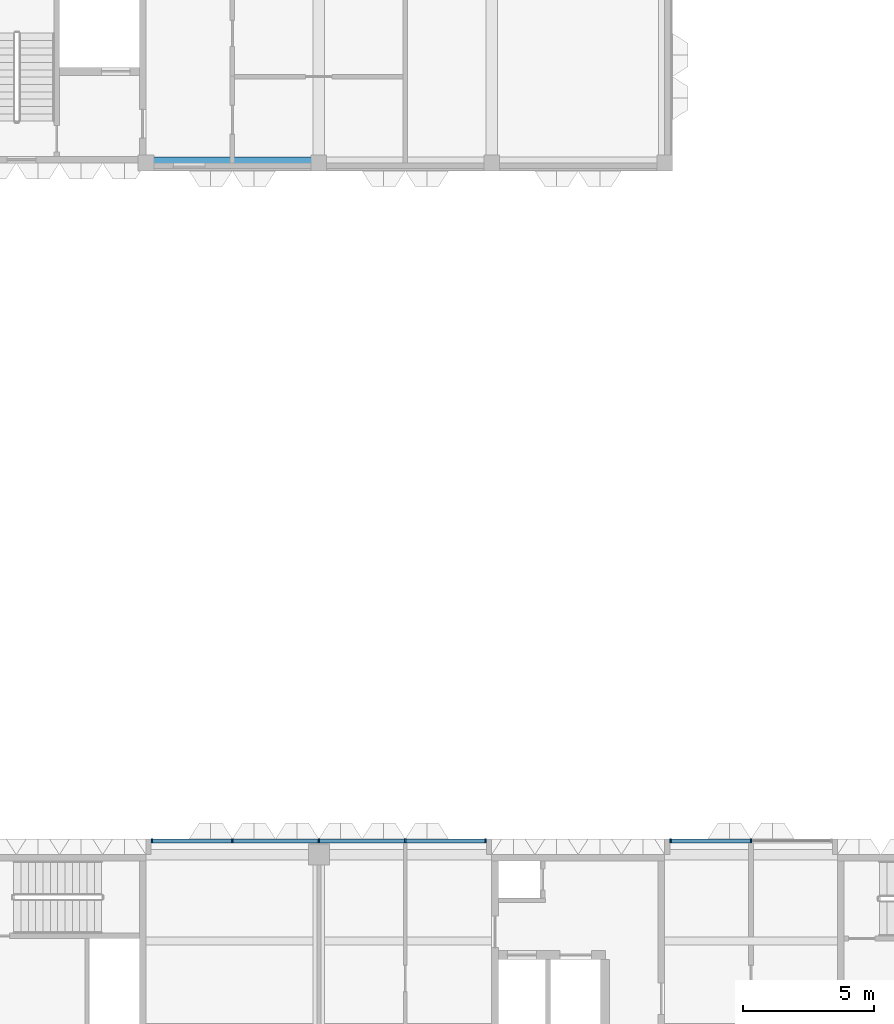
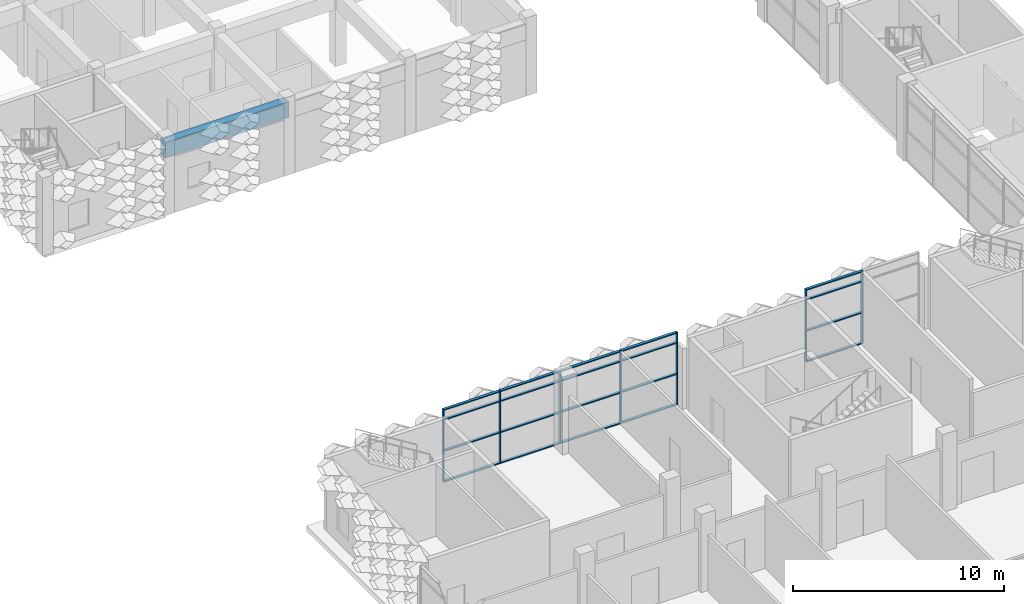
# One storey, part 9 of 87: 27 members, 1 beam, 2 elements without a shape of their own.
"""IFC4 building model written with IfcOpenShell, lengths in metres."""

import ifcopenshell
import ifcopenshell.guid

model = None  # the IFC model being written
_history = None  # IfcOwnerHistory: only IFC2X3 demands one
_inside = {}  # id of a spatial element -> (the spatial element, [elements in it])
_under = {}  # id of a project, library or spatial element -> (it, [spatial elements below it])
_declared = {}  # id of a project -> (the project, [libraries it declares])
_typed = {}  # id of a type object -> (the type object, [elements of that type])
_made_of = {}  # id of a material, layer set ... -> (it, [elements and type objects made of it])


def new_model(schema):
    """Start an empty IFC model of exactly this schema.

    Asked for "IFC4X3", IfcOpenShell would pick the latest addendum, in which some entities
    have other attributes; the version numbers below select the first issue.
    IFC2X3 requires an IfcOwnerHistory on every rooted entity: one is made here for all.
    """
    global model, _history
    if schema == "IFC4X3":
        model = ifcopenshell.file(schema_version=(4, 3, 0, 0))
    else:
        model = ifcopenshell.file(schema=schema)
    _inside.clear()
    _under.clear()
    _declared.clear()
    _typed.clear()
    _made_of.clear()
    _history = None
    if model.schema == "IFC2X3":
        org = make("IfcOrganization", Name="unknown")
        user = make(
            "IfcPersonAndOrganization",
            ThePerson=make("IfcPerson", FamilyName="unknown"),
            TheOrganization=org,
        )
        app = make(
            "IfcApplication",
            ApplicationDeveloper=org,
            Version="unknown",
            ApplicationFullName="unknown",
            ApplicationIdentifier="unknown",
        )
        _history = make(
            "IfcOwnerHistory",
            OwningUser=user,
            OwningApplication=app,
            ChangeAction="ADDED",
            CreationDate=0,
        )
    return model


def make(cls, **values):
    """One entity of the class cls with the attributes given. An attribute that is None is left unset."""
    return model.create_entity(
        cls, **{name: value for name, value in values.items() if value is not None}
    )


def rooted(cls, **values):
    """An entity with a GlobalId (a new one), such as an element, a storey or a relation."""
    return make(cls, GlobalId=ifcopenshell.guid.new(), OwnerHistory=_history, **values)


def si_unit(unit_type, name, prefix=None):
    """IfcSIUnit, for example si_unit("LENGTHUNIT", "METRE", prefix="MILLI")."""
    return make("IfcSIUnit", UnitType=unit_type, Prefix=prefix, Name=name)


def assignment(units):
    """IfcUnitAssignment: the units of a project."""
    return None if units is None else make("IfcUnitAssignment", Units=units)


def point(xyz):
    """IfcCartesianPoint."""
    return None if xyz is None else make("IfcCartesianPoint", Coordinates=xyz)


def direction(xyz):
    """IfcDirection."""
    return None if xyz is None else make("IfcDirection", DirectionRatios=xyz)


def frame(location, z_axis=None, x_axis=None):
    """IfcAxis2Placement3D, a coordinate frame: its origin and axes. An axis left out is left unset."""
    return make(
        "IfcAxis2Placement3D",
        Location=point(location),
        Axis=direction(z_axis),
        RefDirection=direction(x_axis),
    )


def frame_2d(location, x_axis=None):
    """IfcAxis2Placement2D, a coordinate frame in the plane: its origin and x axis."""
    return make(
        "IfcAxis2Placement2D", Location=point(location), RefDirection=direction(x_axis)
    )


def origin():
    """The frame at (0, 0, 0) with its axes left unset."""
    return frame((0.0, 0.0, 0.0))


def origin_2d():
    """The frame at (0, 0) in the plane with its x axis left unset."""
    return frame_2d((0.0, 0.0))


def place(relative_to, where):
    """IfcLocalPlacement: puts the frame where relative to a parent placement (None: the world)."""
    return make(
        "IfcLocalPlacement", PlacementRelTo=relative_to, RelativePlacement=where
    )


def context(
    kind, dimensions, precision=None, world=None, true_north=None, identifier=None
):
    """IfcGeometricRepresentationContext, for example the 3D "Model" context."""
    return make(
        "IfcGeometricRepresentationContext",
        ContextIdentifier=identifier,
        ContextType=kind,
        CoordinateSpaceDimension=dimensions,
        Precision=precision,
        WorldCoordinateSystem=world,
        TrueNorth=true_north,
    )


def subcontext(parent, identifier, kind, view, scale=None):
    """IfcGeometricRepresentationSubContext, for example "Body" below "Model"."""
    return make(
        "IfcGeometricRepresentationSubContext",
        ContextIdentifier=identifier,
        ContextType=kind,
        ParentContext=parent,
        TargetScale=scale,
        TargetView=view,
    )


def project(units=None, contexts=None):
    """IfcProject with its units and contexts."""
    return rooted(
        "IfcProject",
        Name="project",
        RepresentationContexts=contexts,
        UnitsInContext=assignment(units),
    )


def spatial(cls, under=None, at=None, **own):
    """A site, building, storey or space (cls), placed at a placement, below another one or the project."""
    s = rooted(cls, ObjectPlacement=at, **own)
    if under is not None:
        _under.setdefault(under.id(), (under, []))[1].append(s)
    return s


def profile(cls, at=None, kind="AREA", **sizes):
    """A parametric profile (cls). Its sizes go by their IFC names, for example OverallWidth=200.0."""
    return make(cls, ProfileType=kind, Position=at, **sizes)


def rectangle(**sizes):
    """IfcRectangleProfileDef."""
    return profile("IfcRectangleProfileDef", **sizes)


def extrude(swept, where, along, depth):
    """IfcExtrudedAreaSolid: the profile swept, set in the frame where, extruded along a direction by depth."""
    return make(
        "IfcExtrudedAreaSolid",
        SweptArea=swept,
        Position=where,
        ExtrudedDirection=direction(along),
        Depth=depth,
    )


def shape(context_of_items, identifier, shape_type, items):
    """IfcShapeRepresentation: the items that make up one representation, for example the "Body"."""
    return make(
        "IfcShapeRepresentation",
        ContextOfItems=context_of_items,
        RepresentationIdentifier=identifier,
        RepresentationType=shape_type,
        Items=items,
    )


def material(Name=None, Category=None):
    """IfcMaterial."""
    return make("IfcMaterial", Name=Name, Category=Category)


def material_profile(
    of_material, cross_section, Name=None, Category=None, Priority=None
):
    """IfcMaterialProfile: a cross section and its material."""
    return make(
        "IfcMaterialProfile",
        Name=Name,
        Material=of_material,
        Profile=cross_section,
        Priority=Priority,
        Category=Category,
    )


def profile_set(profiles, Name=None, composite=None):
    """IfcMaterialProfileSet."""
    return make(
        "IfcMaterialProfileSet",
        Name=Name,
        MaterialProfiles=profiles,
        CompositeProfile=composite,
    )


def made_of(thing, what):
    """Note that an element or type object is made of a material, layer set ...; save() writes the relation."""
    if what is not None:
        _made_of.setdefault(what.id(), (what, []))[1].append(thing)
    return thing


def type_object(cls, material=None, **own):
    """A type object (cls), such as IfcWallType, which elements share."""
    return made_of(rooted(cls, **own), material)


def element(
    cls,
    number,
    at=None,
    inside=None,
    cuts=None,
    type_object=None,
    material=None,
    context=None,
    identifier="Body",
    shape_type=None,
    held_by="IfcProductDefinitionShape",
    body=None,
    shapes=None,
    **own,
):
    """One element of the class cls, such as IfcWall. Its Tag is "e" and its number.

    at: its placement. inside: the storey or other place that contains it. cuts: it is an
    opening in that element (IfcRelVoidsElement). A single representation is given by context,
    identifier, shape_type and body (its items); several are given by shapes. held_by: the class
    of the entity that holds the representations. save() writes the other relations.
    """
    e = rooted(cls, Tag="e%d" % number, ObjectPlacement=at, **own)
    if body is not None:
        shapes = [shape(context, identifier, shape_type, body)]
    if shapes is not None:
        e.Representation = make(held_by, Representations=shapes)
    if inside is not None:
        _inside.setdefault(inside.id(), (inside, []))[1].append(e)
    if cuts is not None:
        rooted(
            "IfcRelVoidsElement", RelatingBuildingElement=cuts, RelatedOpeningElement=e
        )
    if type_object is not None:
        _typed.setdefault(type_object.id(), (type_object, []))[1].append(e)
    return made_of(e, material)


def aggregate(whole, parts):
    """IfcRelAggregates: a whole, such as a stair, and the parts it consists of."""
    return rooted("IfcRelAggregates", RelatingObject=whole, RelatedObjects=parts)


def save(model, path):
    """Write the relations noted so far, then the file.

    IfcRelAggregates (storeys below a building ...), IfcRelContainedInSpatialStructure (elements
    in a storey), IfcRelDefinesByType, IfcRelAssociatesMaterial and IfcRelDeclares: one each for
    every whole, place, type object, material and project.
    """
    for whole, parts in _under.values():
        aggregate(whole, parts)
    for where, things in _inside.values():
        rooted(
            "IfcRelContainedInSpatialStructure",
            RelatedElements=things,
            RelatingStructure=where,
        )
    for kind, things in _typed.values():
        rooted("IfcRelDefinesByType", RelatedObjects=things, RelatingType=kind)
    for what, things in _made_of.values():
        rooted("IfcRelAssociatesMaterial", RelatedObjects=things, RelatingMaterial=what)
    for by, libraries in _declared.values():
        rooted("IfcRelDeclares", RelatingContext=by, RelatedDefinitions=libraries)
    model.write(path)


model = new_model("IFC4")

# Units and contexts
model_context = context("Model", 3, precision=1e-05, world=origin(), true_north=direction((0.0, 1.0)))
body_context = subcontext(model_context, "Body", "Model", "MODEL_VIEW")
ifc_project = project(units=[si_unit("LENGTHUNIT", "METRE"), si_unit("AREAUNIT", "SQUARE_METRE"), si_unit("VOLUMEUNIT", "CUBIC_METRE"), si_unit("PLANEANGLEUNIT", "RADIAN"), si_unit("MASSUNIT", "GRAM", prefix="KILO")], contexts=[model_context])

# Site, building, storey
site_placement = place(None, origin())
site = spatial("IfcSite", under=ifc_project, at=site_placement, CompositionType="ELEMENT")
building_placement = place(site_placement, origin())
building = spatial("IfcBuilding", under=site, at=building_placement, Name="Lantern Court Research Institute", CompositionType="ELEMENT")
storey_placement = place(building_placement, frame((0.0, 0.0, 5.39990234375)))
storey = spatial("IfcBuildingStorey", under=building, at=storey_placement, Name="L01", CompositionType="ELEMENT", Elevation=5.39990234375)

# Beam
ifc_material_1 = material(Name="Concrete C40/50", Category="concrete")
ifc_material_profile_1 = material_profile(ifc_material_1, rectangle(XDim=0.449951171875, YDim=0.89990234375, at=origin_2d()), Name="Clean room beam 450 x 900")
ifc_profile_set_1 = profile_set([ifc_material_profile_1], Name="Concrete C40/50")
beam_type = type_object("IfcBeamType", Name="Clean room beam 450 x 900", PredefinedType="BEAM", material=ifc_profile_set_1)
beam_placement = place(storey_placement, frame((6.449951171875, 49.5, 3.7001953125), z_axis=(1.0, 0.0, 0.0), x_axis=(0.0, 1.0, 0.0)))
element("IfcBeam", 1, at=beam_placement, inside=storey, type_object=beam_type, Name="Clean room beam", PredefinedType="BEAM", context=body_context, shape_type="SweptSolid", body=[
    extrude(rectangle(XDim=0.449951171875, YDim=0.89990234375, at=origin_2d()), origin(), (0.0, 0.0, 1.0), 6.75),
])

# Curtain wall, members
ifc_material_2 = material(Name="Aluminium alloy 6063-T6", Category="aluminium")
curtain_wall_type_1 = type_object("IfcCurtainWallType", Name="Curtain wall 12800 x 4200 x 150 aluminium frame", PredefinedType="NOTDEFINED", material=ifc_material_2)
curtain_wall_1_placement = place(storey_placement, origin())
curtain_wall_1 = element("IfcCurtainWall", 2, at=curtain_wall_1_placement, inside=storey, type_object=curtain_wall_type_1, Name="Curtain wall CW021", PredefinedType="NOTDEFINED")
ifc_material_3 = material(Name="Aluminium alloy 6063-T6", Category="aluminium")
ifc_material_profile_2 = material_profile(ifc_material_3, rectangle(XDim=0.14990234375, YDim=0.06005859375, at=origin_2d()), Name="Mullion 150 x 60")
ifc_profile_set_2 = profile_set([ifc_material_profile_2], Name="Aluminium alloy 6063-T6")
member_type_1 = type_object("IfcMemberType", Name="Mullion 150 x 60 aluminium", PredefinedType="MULLION", material=ifc_profile_set_2)
member_1_placement = place(storey_placement, frame((6.830078125, 23.625, 0.0), z_axis=(0.0, 0.0, 1.0), x_axis=(0.0, 1.0, 0.0)))
member_1 = element("IfcMember", 3, at=member_1_placement, type_object=member_type_1, Name="CW021 mullion 1", PredefinedType="MULLION", context=body_context, shape_type="SweptSolid", body=[
    extrude(rectangle(XDim=0.14990234375, YDim=0.06005859375, at=origin_2d()), origin(), (0.0, 0.0, 1.0), 4.2001953125),
])
member_2_placement = place(storey_placement, frame((9.89990234375, 23.625, 0.0), z_axis=(0.0, 0.0, 1.0), x_axis=(0.0, 1.0, 0.0)))
member_2 = element("IfcMember", 4, at=member_2_placement, type_object=member_type_1, Name="CW021 mullion 2", PredefinedType="MULLION", context=body_context, shape_type="SweptSolid", body=[
    extrude(rectangle(XDim=0.14990234375, YDim=0.06005859375, at=origin_2d()), origin(), (0.0, 0.0, 1.0), 4.2001953125),
])
member_3_placement = place(storey_placement, frame((13.199951171875, 23.625, 0.0), z_axis=(0.0, 0.0, 1.0), x_axis=(0.0, 1.0, 0.0)))
member_3 = element("IfcMember", 5, at=member_3_placement, type_object=member_type_1, Name="CW021 mullion 3", PredefinedType="MULLION", context=body_context, shape_type="SweptSolid", body=[
    extrude(rectangle(XDim=0.14990234375, YDim=0.06005859375, at=origin_2d()), origin(), (0.0, 0.0, 1.0), 4.2001953125),
])
member_4_placement = place(storey_placement, frame((16.5, 23.625, 0.0), z_axis=(0.0, 0.0, 1.0), x_axis=(0.0, 1.0, 0.0)))
member_4 = element("IfcMember", 6, at=member_4_placement, type_object=member_type_1, Name="CW021 mullion 4", PredefinedType="MULLION", context=body_context, shape_type="SweptSolid", body=[
    extrude(rectangle(XDim=0.14990234375, YDim=0.06005859375, at=origin_2d()), origin(), (0.0, 0.0, 1.0), 4.2001953125),
])
member_5_placement = place(storey_placement, frame((19.570068359375, 23.625, 0.0), z_axis=(0.0, 0.0, 1.0), x_axis=(0.0, 1.0, 0.0)))
member_5 = element("IfcMember", 7, at=member_5_placement, type_object=member_type_1, Name="CW021 mullion 5", PredefinedType="MULLION", context=body_context, shape_type="SweptSolid", body=[
    extrude(rectangle(XDim=0.14990234375, YDim=0.06005859375, at=origin_2d()), origin(), (0.0, 0.0, 1.0), 4.2001953125),
])

ifc_material_4 = material(Name="Aluminium alloy 6063-T6", Category="aluminium")
curtain_wall_type_2 = type_object("IfcCurtainWallType", Name="Curtain wall 6200 x 4200 x 150 aluminium frame", PredefinedType="NOTDEFINED", material=ifc_material_4)
curtain_wall_2_placement = place(storey_placement, origin())
curtain_wall_2 = element("IfcCurtainWall", 8, at=curtain_wall_2_placement, inside=storey, type_object=curtain_wall_type_2, Name="Curtain wall CW022", PredefinedType="NOTDEFINED")
member_6_placement = place(storey_placement, frame((26.6298828125, 23.625, 0.0), z_axis=(0.0, 0.0, 1.0), x_axis=(0.0, 1.0, 0.0)))
member_6 = element("IfcMember", 9, at=member_6_placement, type_object=member_type_1, Name="CW022 mullion 1", PredefinedType="MULLION", context=body_context, shape_type="SweptSolid", body=[
    extrude(rectangle(XDim=0.14990234375, YDim=0.06005859375, at=origin_2d()), origin(), (0.0, 0.0, 1.0), 4.2001953125),
])
member_7_placement = place(storey_placement, frame((29.699951171875, 23.625, 0.0), z_axis=(0.0, 0.0, 1.0), x_axis=(0.0, 1.0, 0.0)))
member_7 = element("IfcMember", 10, at=member_7_placement, type_object=member_type_1, Name="CW022 mullion 2", PredefinedType="MULLION", context=body_context, shape_type="SweptSolid", body=[
    extrude(rectangle(XDim=0.14990234375, YDim=0.06005859375, at=origin_2d()), origin(), (0.0, 0.0, 1.0), 4.2001953125),
])

# Member
ifc_material_5 = material(Name="Aluminium alloy 6063-T6", Category="aluminium")
ifc_material_profile_3 = material_profile(ifc_material_5, rectangle(XDim=0.14990234375, YDim=0.06005859375, at=origin_2d()), Name="Transom 150 x 60")
ifc_profile_set_3 = profile_set([ifc_material_profile_3], Name="Aluminium alloy 6063-T6")
member_type_2 = type_object("IfcMemberType", Name="Transom 150 x 60 aluminium", PredefinedType="USERDEFINED", material=ifc_profile_set_3)
member_8_placement = place(storey_placement, frame((6.860107421875, 23.625, 0.030029296875), z_axis=(1.0, 0.0, 0.0), x_axis=(0.0, 1.0, 0.0)))
member_8 = element("IfcMember", 11, at=member_8_placement, type_object=member_type_2, Name="CW021 transom 1.1", ObjectType="TRANSOM", PredefinedType="USERDEFINED", context=body_context, shape_type="SweptSolid", body=[
    extrude(rectangle(XDim=0.14990234375, YDim=0.06005859375, at=origin_2d()), origin(), (0.0, 0.0, 1.0), 3.010009765625),
])

member_9_placement = place(storey_placement, frame((6.860107421875, 23.625, 1.800048828125), z_axis=(1.0, 0.0, 0.0), x_axis=(0.0, 1.0, 0.0)))
member_9 = element("IfcMember", 12, at=member_9_placement, type_object=member_type_2, Name="CW021 transom 1.2", ObjectType="TRANSOM", PredefinedType="USERDEFINED", context=body_context, shape_type="SweptSolid", body=[
    extrude(rectangle(XDim=0.14990234375, YDim=0.06005859375, at=origin_2d()), origin(), (0.0, 0.0, 1.0), 3.010009765625),
])

member_10_placement = place(storey_placement, frame((6.860107421875, 23.625, 3.60009765625), z_axis=(1.0, 0.0, 0.0), x_axis=(0.0, 1.0, 0.0)))
member_10 = element("IfcMember", 13, at=member_10_placement, type_object=member_type_2, Name="CW021 transom 1.3", ObjectType="TRANSOM", PredefinedType="USERDEFINED", context=body_context, shape_type="SweptSolid", body=[
    extrude(rectangle(XDim=0.14990234375, YDim=0.06005859375, at=origin_2d()), origin(), (0.0, 0.0, 1.0), 3.010009765625),
])

member_11_placement = place(storey_placement, frame((6.860107421875, 23.625, 4.170166015625), z_axis=(1.0, 0.0, 0.0), x_axis=(0.0, 1.0, 0.0)))
member_11 = element("IfcMember", 14, at=member_11_placement, type_object=member_type_2, Name="CW021 transom 1.4", ObjectType="TRANSOM", PredefinedType="USERDEFINED", context=body_context, shape_type="SweptSolid", body=[
    extrude(rectangle(XDim=0.14990234375, YDim=0.06005859375, at=origin_2d()), origin(), (0.0, 0.0, 1.0), 3.010009765625),
])

member_12_placement = place(storey_placement, frame((9.929931640625, 23.625, 0.030029296875), z_axis=(1.0, 0.0, 0.0), x_axis=(0.0, 1.0, 0.0)))
member_12 = element("IfcMember", 15, at=member_12_placement, type_object=member_type_2, Name="CW021 transom 2.1", ObjectType="TRANSOM", PredefinedType="USERDEFINED", context=body_context, shape_type="SweptSolid", body=[
    extrude(rectangle(XDim=0.14990234375, YDim=0.06005859375, at=origin_2d()), origin(), (0.0, 0.0, 1.0), 3.239990234375),
])

member_13_placement = place(storey_placement, frame((9.929931640625, 23.625, 1.800048828125), z_axis=(1.0, 0.0, 0.0), x_axis=(0.0, 1.0, 0.0)))
member_13 = element("IfcMember", 16, at=member_13_placement, type_object=member_type_2, Name="CW021 transom 2.2", ObjectType="TRANSOM", PredefinedType="USERDEFINED", context=body_context, shape_type="SweptSolid", body=[
    extrude(rectangle(XDim=0.14990234375, YDim=0.06005859375, at=origin_2d()), origin(), (0.0, 0.0, 1.0), 3.239990234375),
])

member_14_placement = place(storey_placement, frame((9.929931640625, 23.625, 3.60009765625), z_axis=(1.0, 0.0, 0.0), x_axis=(0.0, 1.0, 0.0)))
member_14 = element("IfcMember", 17, at=member_14_placement, type_object=member_type_2, Name="CW021 transom 2.3", ObjectType="TRANSOM", PredefinedType="USERDEFINED", context=body_context, shape_type="SweptSolid", body=[
    extrude(rectangle(XDim=0.14990234375, YDim=0.06005859375, at=origin_2d()), origin(), (0.0, 0.0, 1.0), 3.239990234375),
])

member_15_placement = place(storey_placement, frame((9.929931640625, 23.625, 4.170166015625), z_axis=(1.0, 0.0, 0.0), x_axis=(0.0, 1.0, 0.0)))
member_15 = element("IfcMember", 18, at=member_15_placement, type_object=member_type_2, Name="CW021 transom 2.4", ObjectType="TRANSOM", PredefinedType="USERDEFINED", context=body_context, shape_type="SweptSolid", body=[
    extrude(rectangle(XDim=0.14990234375, YDim=0.06005859375, at=origin_2d()), origin(), (0.0, 0.0, 1.0), 3.239990234375),
])

member_16_placement = place(storey_placement, frame((13.22998046875, 23.625, 0.030029296875), z_axis=(1.0, 0.0, 0.0), x_axis=(0.0, 1.0, 0.0)))
member_16 = element("IfcMember", 19, at=member_16_placement, type_object=member_type_2, Name="CW021 transom 3.1", ObjectType="TRANSOM", PredefinedType="USERDEFINED", context=body_context, shape_type="SweptSolid", body=[
    extrude(rectangle(XDim=0.14990234375, YDim=0.06005859375, at=origin_2d()), origin(), (0.0, 0.0, 1.0), 3.239990234375),
])

member_17_placement = place(storey_placement, frame((13.22998046875, 23.625, 1.800048828125), z_axis=(1.0, 0.0, 0.0), x_axis=(0.0, 1.0, 0.0)))
member_17 = element("IfcMember", 20, at=member_17_placement, type_object=member_type_2, Name="CW021 transom 3.2", ObjectType="TRANSOM", PredefinedType="USERDEFINED", context=body_context, shape_type="SweptSolid", body=[
    extrude(rectangle(XDim=0.14990234375, YDim=0.06005859375, at=origin_2d()), origin(), (0.0, 0.0, 1.0), 3.239990234375),
])

member_18_placement = place(storey_placement, frame((13.22998046875, 23.625, 3.60009765625), z_axis=(1.0, 0.0, 0.0), x_axis=(0.0, 1.0, 0.0)))
member_18 = element("IfcMember", 21, at=member_18_placement, type_object=member_type_2, Name="CW021 transom 3.3", ObjectType="TRANSOM", PredefinedType="USERDEFINED", context=body_context, shape_type="SweptSolid", body=[
    extrude(rectangle(XDim=0.14990234375, YDim=0.06005859375, at=origin_2d()), origin(), (0.0, 0.0, 1.0), 3.239990234375),
])

member_19_placement = place(storey_placement, frame((13.22998046875, 23.625, 4.170166015625), z_axis=(1.0, 0.0, 0.0), x_axis=(0.0, 1.0, 0.0)))
member_19 = element("IfcMember", 22, at=member_19_placement, type_object=member_type_2, Name="CW021 transom 3.4", ObjectType="TRANSOM", PredefinedType="USERDEFINED", context=body_context, shape_type="SweptSolid", body=[
    extrude(rectangle(XDim=0.14990234375, YDim=0.06005859375, at=origin_2d()), origin(), (0.0, 0.0, 1.0), 3.239990234375),
])

member_20_placement = place(storey_placement, frame((16.530029296875, 23.625, 0.030029296875), z_axis=(1.0, 0.0, 0.0), x_axis=(0.0, 1.0, 0.0)))
member_20 = element("IfcMember", 23, at=member_20_placement, type_object=member_type_2, Name="CW021 transom 4.1", ObjectType="TRANSOM", PredefinedType="USERDEFINED", context=body_context, shape_type="SweptSolid", body=[
    extrude(rectangle(XDim=0.14990234375, YDim=0.06005859375, at=origin_2d()), origin(), (0.0, 0.0, 1.0), 3.010009765625),
])

member_21_placement = place(storey_placement, frame((16.530029296875, 23.625, 1.800048828125), z_axis=(1.0, 0.0, 0.0), x_axis=(0.0, 1.0, 0.0)))
member_21 = element("IfcMember", 24, at=member_21_placement, type_object=member_type_2, Name="CW021 transom 4.2", ObjectType="TRANSOM", PredefinedType="USERDEFINED", context=body_context, shape_type="SweptSolid", body=[
    extrude(rectangle(XDim=0.14990234375, YDim=0.06005859375, at=origin_2d()), origin(), (0.0, 0.0, 1.0), 3.010009765625),
])

member_22_placement = place(storey_placement, frame((16.530029296875, 23.625, 3.60009765625), z_axis=(1.0, 0.0, 0.0), x_axis=(0.0, 1.0, 0.0)))
member_22 = element("IfcMember", 25, at=member_22_placement, type_object=member_type_2, Name="CW021 transom 4.3", ObjectType="TRANSOM", PredefinedType="USERDEFINED", context=body_context, shape_type="SweptSolid", body=[
    extrude(rectangle(XDim=0.14990234375, YDim=0.06005859375, at=origin_2d()), origin(), (0.0, 0.0, 1.0), 3.010009765625),
])

member_23_placement = place(storey_placement, frame((16.530029296875, 23.625, 4.170166015625), z_axis=(1.0, 0.0, 0.0), x_axis=(0.0, 1.0, 0.0)))
member_23 = element("IfcMember", 26, at=member_23_placement, type_object=member_type_2, Name="CW021 transom 4.4", ObjectType="TRANSOM", PredefinedType="USERDEFINED", context=body_context, shape_type="SweptSolid", body=[
    extrude(rectangle(XDim=0.14990234375, YDim=0.06005859375, at=origin_2d()), origin(), (0.0, 0.0, 1.0), 3.010009765625),
])

aggregate(curtain_wall_1, [member_1, member_2, member_3, member_4, member_5, member_8, member_9, member_10, member_11, member_12, member_13, member_14, member_15, member_16, member_17, member_18, member_19, member_20, member_21, member_22, member_23])

member_24_placement = place(storey_placement, frame((26.659912109375, 23.625, 0.030029296875), z_axis=(1.0, 0.0, 0.0), x_axis=(0.0, 1.0, 0.0)))
member_24 = element("IfcMember", 27, at=member_24_placement, type_object=member_type_2, Name="CW022 transom 1.1", ObjectType="TRANSOM", PredefinedType="USERDEFINED", context=body_context, shape_type="SweptSolid", body=[
    extrude(rectangle(XDim=0.14990234375, YDim=0.06005859375, at=origin_2d()), origin(), (0.0, 0.0, 1.0), 3.010009765625),
])

member_25_placement = place(storey_placement, frame((26.659912109375, 23.625, 1.800048828125), z_axis=(1.0, 0.0, 0.0), x_axis=(0.0, 1.0, 0.0)))
member_25 = element("IfcMember", 28, at=member_25_placement, type_object=member_type_2, Name="CW022 transom 1.2", ObjectType="TRANSOM", PredefinedType="USERDEFINED", context=body_context, shape_type="SweptSolid", body=[
    extrude(rectangle(XDim=0.14990234375, YDim=0.06005859375, at=origin_2d()), origin(), (0.0, 0.0, 1.0), 3.010009765625),
])

member_26_placement = place(storey_placement, frame((26.659912109375, 23.625, 3.60009765625), z_axis=(1.0, 0.0, 0.0), x_axis=(0.0, 1.0, 0.0)))
member_26 = element("IfcMember", 29, at=member_26_placement, type_object=member_type_2, Name="CW022 transom 1.3", ObjectType="TRANSOM", PredefinedType="USERDEFINED", context=body_context, shape_type="SweptSolid", body=[
    extrude(rectangle(XDim=0.14990234375, YDim=0.06005859375, at=origin_2d()), origin(), (0.0, 0.0, 1.0), 3.010009765625),
])

member_27_placement = place(storey_placement, frame((26.659912109375, 23.625, 4.170166015625), z_axis=(1.0, 0.0, 0.0), x_axis=(0.0, 1.0, 0.0)))
member_27 = element("IfcMember", 30, at=member_27_placement, type_object=member_type_2, Name="CW022 transom 1.4", ObjectType="TRANSOM", PredefinedType="USERDEFINED", context=body_context, shape_type="SweptSolid", body=[
    extrude(rectangle(XDim=0.14990234375, YDim=0.06005859375, at=origin_2d()), origin(), (0.0, 0.0, 1.0), 3.010009765625),
])

aggregate(curtain_wall_2, [member_6, member_7, member_24, member_25, member_26, member_27])

save(model, "model.ifc")
